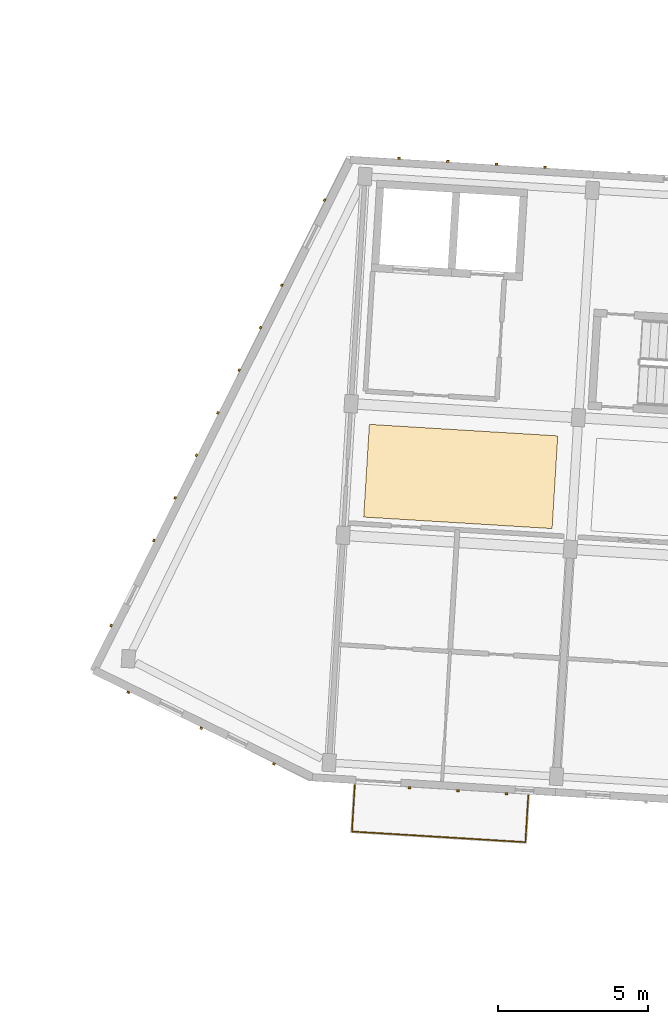
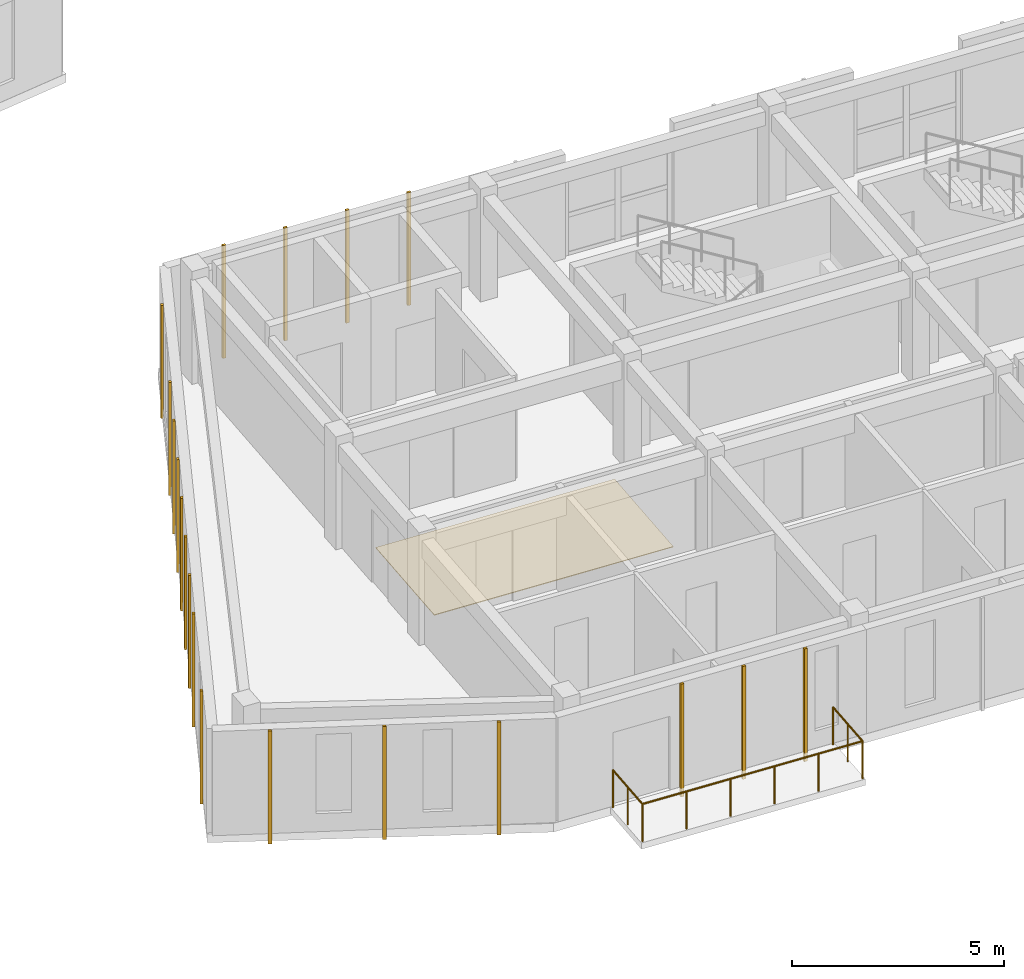
# One storey, part 35 of 56: 20 coverings, 1 railing.
"""IFC4 building model written with IfcOpenShell, lengths in metres."""

from ifc_helpers import new_model, si_unit, direction, frame, origin, origin_2d, place, context, subcontext, project, spatial, polyline, rectangle, circle, outline, extrude, material, layer, layer_set, type_object, element, save


model = new_model("IFC4")

# Units and contexts
model_context = context("Model", 3, precision=1e-05, world=origin(), true_north=direction((0.0, 1.0)))
body_context = subcontext(model_context, "Body", "Model", "MODEL_VIEW")
ifc_project = project(units=[si_unit("LENGTHUNIT", "METRE"), si_unit("AREAUNIT", "SQUARE_METRE"), si_unit("VOLUMEUNIT", "CUBIC_METRE"), si_unit("PLANEANGLEUNIT", "RADIAN"), si_unit("MASSUNIT", "GRAM", prefix="KILO")], contexts=[model_context])

# Site, building, storey
site_placement = place(None, origin())
site = spatial("IfcSite", under=ifc_project, at=site_placement, CompositionType="ELEMENT")
building_placement = place(site_placement, origin())
building = spatial("IfcBuilding", under=site, at=building_placement, Name="Kestramere Prow Commons", CompositionType="ELEMENT")
storey_placement = place(building_placement, frame((0.0, 0.0, 27.89990234375)))
storey = spatial("IfcBuildingStorey", under=building, at=storey_placement, Name="L08", CompositionType="ELEMENT", Elevation=27.89990234375)

# Coverings
ifc_material_1 = material(Name="Weathered Zinc-Titanium Standing-Seam Cladding")
ifc_layer_1 = layer(ifc_material_1, 0.074951171875)
ifc_layer_set_1 = layer_set([ifc_layer_1], Name="Weathered Zinc-Titanium Standing-Seam Cladding")
covering_type_1 = type_object("IfcCoveringType", Name="COV-CLAD-SEAM", PredefinedType="CLADDING", material=ifc_layer_set_1)
for number, where, z_axis, x_axis, name in (
    (1, (65.422607421875, 45.458984375, -0.25), (0.0, 0.0, 1.0), (-0.998134798422, 0.061048539535, 0.0), "EW-C-L08-S-0 Standing-Seam Rib 1"),
    (2, (63.800537109375, 45.55810546875, -0.25), (0.0, 0.0, 1.0), (-0.998134798422, 0.061048539535, 0.0), "EW-C-L08-S-0 Standing-Seam Rib 2"),
    (3, (62.178466796875, 45.657470703125, -0.25), (0.0, 0.0, 1.0), (-0.998134798422, 0.061048539535, 0.0), "EW-C-L08-S-0 Standing-Seam Rib 3"),
    (4, (61.8359375, 66.672607421875, -0.25), (0.0, 0.0, 1.0), (0.998134798422, -0.061048539535, 0.0), "EW-C-L08-N-0 Standing-Seam Rib 1"),
    (5, (63.457763671875, 66.5732421875, -0.25), (0.0, 0.0, 1.0), (0.998134798422, -0.061048539535, 0.0), "EW-C-L08-N-0 Standing-Seam Rib 2"),
    (6, (65.079833984375, 66.47412109375, -0.25), (0.0, 0.0, 1.0), (0.998134798422, -0.061048539535, 0.0), "EW-C-L08-N-0 Standing-Seam Rib 3"),
    (7, (66.70166015625, 66.375, -0.25), (0.0, 0.0, 1.0), (0.998134798422, -0.061048539535, 0.0), "EW-C-L08-N-0 Standing-Seam Rib 4"),
    (8, (57.6572265625, 46.458251953125, -0.25), (0.0, 0.0, 1.0), (-0.897770965065, 0.440462591245, 0.0), "EW-C-L08-PRW-S Standing-Seam Rib 1"),
    (9, (55.227294921875, 47.650390625, -0.25), (0.0, 0.0, 1.0), (-0.897770965065, 0.440462591245, 0.0), "EW-C-L08-PRW-S Standing-Seam Rib 3"),
    (10, (52.797119140625, 48.8427734375, -0.25), (0.0, 0.0, 1.0), (-0.897770965065, 0.440462591245, 0.0), "EW-C-L08-PRW-S Standing-Seam Rib 5"),
    (11, (52.220947265625, 51.0771484375, -0.25), (0.0, 0.0, 1.0), (0.448620327542, 0.893722441095, 0.0), "EW-C-L08-PRW-N Standing-Seam Rib 1"),
    (12, (53.646240234375, 53.916259765625, -0.25), (0.0, 0.0, 1.0), (0.448620327542, 0.893722441095, 0.0), "EW-C-L08-PRW-N Standing-Seam Rib 3"),
    (13, (54.358642578125, 55.3359375, -0.25), (0.0, 0.0, 1.0), (0.448620327542, 0.893722441095, 0.0), "EW-C-L08-PRW-N Standing-Seam Rib 4"),
    (14, (55.0712890625, 56.75537109375, -0.25), (0.0, 0.0, 1.0), (0.448620327542, 0.893722441095, 0.0), "EW-C-L08-PRW-N Standing-Seam Rib 5"),
    (15, (55.783935546875, 58.175048828125, -0.25), (0.0, 0.0, 1.0), (0.448620327542, 0.893722441095, 0.0), "EW-C-L08-PRW-N Standing-Seam Rib 6"),
    (16, (56.49658203125, 59.594482421875, -0.25), (0.0, 0.0, 1.0), (0.448620327542, 0.893722441095, 0.0), "EW-C-L08-PRW-N Standing-Seam Rib 7"),
    (17, (57.208984375, 61.01416015625, -0.25), (0.0, 0.0, 1.0), (0.448620327542, 0.893722441095, 0.0), "EW-C-L08-PRW-N Standing-Seam Rib 8"),
    (18, (57.921630859375, 62.433837890625, -0.25), (0.0, 0.0, 1.0), (0.448620327542, 0.893722441095, 0.0), "EW-C-L08-PRW-N Standing-Seam Rib 9"),
    (19, (59.3466796875, 65.27294921875, -0.25), (0.0, 0.0, 1.0), (0.448620327542, 0.893722441095, 0.0), "EW-C-L08-PRW-N Standing-Seam Rib 11"),
):
    element("IfcCovering", number, at=place(storey_placement, frame(where, z_axis=z_axis, x_axis=x_axis)), inside=storey, type_object=covering_type_1, Name=name, PredefinedType="CLADDING", context=body_context, shape_type="SweptSolid", body=[
        extrude(rectangle(XDim=0.0849609375, YDim=0.06494140625, at=origin_2d()), origin(), (0.0, 0.0, 1.0), 3.25),
    ])
ifc_material_2 = material(Name="Honed Cementitious Terrazzo Tile")
ifc_layer_2 = layer(ifc_material_2, 0.02001953125)
ifc_layer_set_2 = layer_set([ifc_layer_2], Name="Honed Cementitious Terrazzo Tile")
covering_type_2 = type_object("IfcCoveringType", Name="COV-FLOOR-TERRAZZO", PredefinedType="FLOORING", material=ifc_layer_set_2)
covering_placement = place(storey_placement, origin())
element("IfcCovering", 20, at=covering_placement, inside=storey, type_object=covering_type_2, Name="Block C L08 Corridor Terrazzo Flooring 1", PredefinedType="FLOORING", context=body_context, shape_type="SweptSolid", body=[
    extrude(outline(polyline([(60.65234375, 54.69482421875), (66.940673828125, 54.310302734375), (67.1298828125, 57.404541015625), (60.841796875, 57.7890625), (60.65234375, 54.69482421875)])), origin(), (0.0, 0.0, 1.0), 0.02001953125),
])

# Railing
ifc_material_3 = material(Name="Powder-Coated Aluminium 6063-T6", Category="aluminium")
railing_type = type_object("IfcRailingType", Name="GRD-BALC-1100", PredefinedType="BALUSTRADE", material=ifc_material_3)
railing_placement = place(storey_placement, frame((60.356201171875, 45.75634765625, 0.0)))
element("IfcRailing", 21, at=railing_placement, inside=storey, type_object=railing_type, Name="Block C L08 Balcony Guardrail 1", PredefinedType="BALUSTRADE", context=body_context, shape_type="SweptSolid", body=[
    extrude(circle(Radius=0.02392578125, at=origin_2d()), frame((0.0, 0.0, 1.076171875), z_axis=(-0.061033697925, -0.998135706063, 0.0), x_axis=(0.998135706063, -0.061033697925, 0.0)), (0.0, 0.0, 1.0), 1.56005859375),
    extrude(circle(Radius=0.02392578125, at=origin_2d()), frame((-0.09521484375, -1.55712890625, 1.076171875), z_axis=(0.998135537192, -0.061036459553, 0.0), x_axis=(0.061036459553, 0.998135537192, 0.0)), (0.0, 0.0, 1.0), 5.7998046875),
    extrude(circle(Radius=0.02392578125, at=origin_2d()), frame((5.69384765625, -1.9111328125, 1.076171875), z_axis=(0.061033697925, 0.998135706063, 0.0), x_axis=(-0.998135706063, 0.061033697925, 0.0)), (0.0, 0.0, 1.0), 1.56005859375),
    extrude(circle(Radius=0.02099609375, at=origin_2d()), origin(), (0.0, 0.0, 1.0), 1.052001953125),
    extrude(circle(Radius=0.02099609375, at=origin_2d()), frame((-0.047607421875, -0.778564453125, 0.0)), (0.0, 0.0, 1.0), 1.052001953125),
    extrude(circle(Radius=0.02099609375, at=origin_2d()), frame((-0.09521484375, -1.55712890625, 0.0)), (0.0, 0.0, 1.0), 1.052001953125),
    extrude(circle(Radius=0.02099609375, at=origin_2d()), frame((1.0625, -1.6279296875, 0.0)), (0.0, 0.0, 1.0), 1.052001953125),
    extrude(circle(Radius=0.02099609375, at=origin_2d()), frame((2.220458984375, -1.69873046875, 0.0)), (0.0, 0.0, 1.0), 1.052001953125),
    extrude(circle(Radius=0.02099609375, at=origin_2d()), frame((3.378173828125, -1.76953125, 0.0)), (0.0, 0.0, 1.0), 1.052001953125),
    extrude(circle(Radius=0.02099609375, at=origin_2d()), frame((4.5361328125, -1.84033203125, 0.0)), (0.0, 0.0, 1.0), 1.052001953125),
    extrude(circle(Radius=0.02099609375, at=origin_2d()), frame((5.69384765625, -1.9111328125, 0.0)), (0.0, 0.0, 1.0), 1.052001953125),
    extrude(circle(Radius=0.02099609375, at=origin_2d()), frame((5.741455078125, -1.132568359375, 0.0)), (0.0, 0.0, 1.0), 1.052001953125),
    extrude(circle(Radius=0.02099609375, at=origin_2d()), frame((5.7890625, -0.35400390625, 0.0)), (0.0, 0.0, 1.0), 1.052001953125),
])

save(model, "model.ifc")
